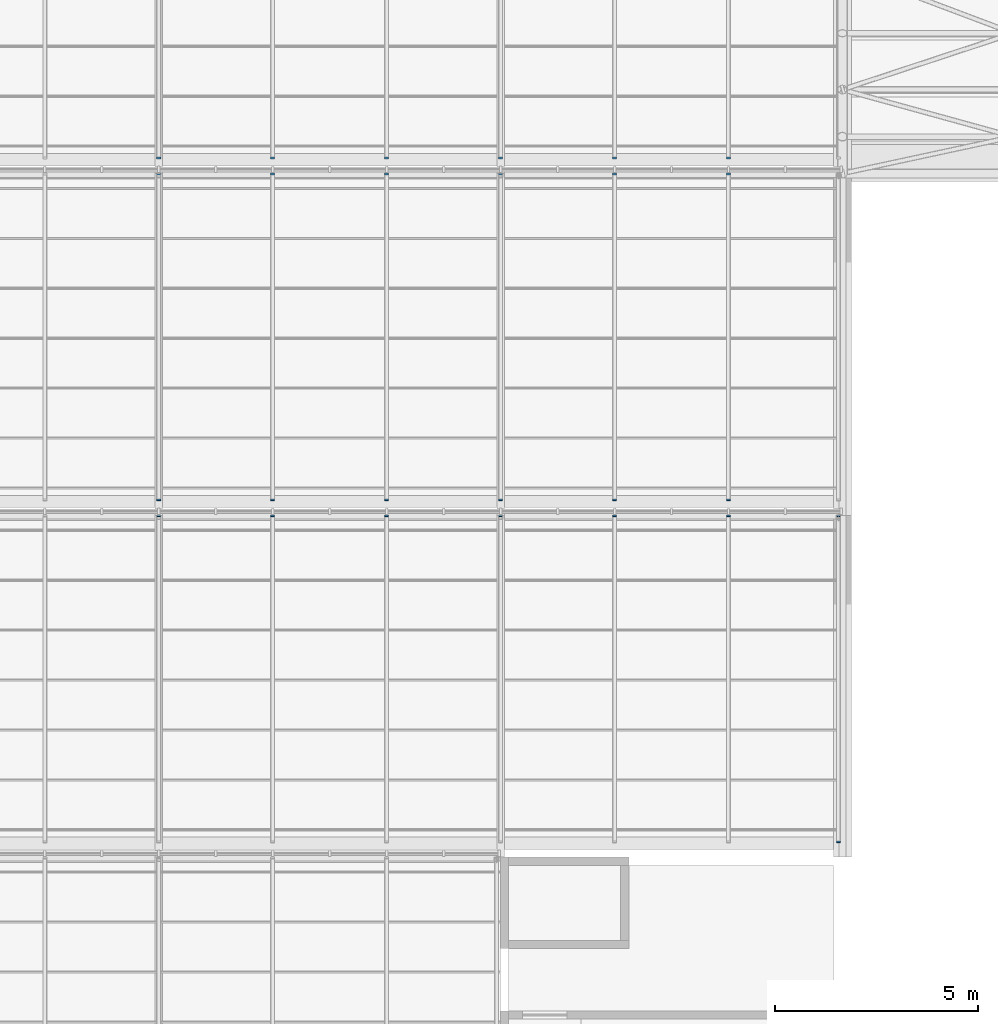
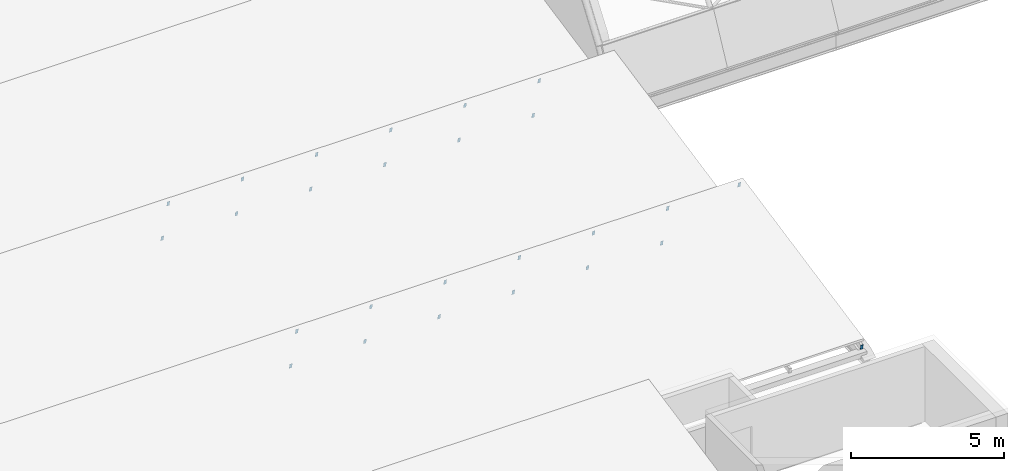
# One storey, part 99 of 121: 26 discrete accessories.
"""IFC4 building model written with IfcOpenShell, lengths in metres."""

from ifc_helpers import new_model, si_unit, direction, frame, origin, origin_2d, place, context, subcontext, project, spatial, rectangle, extrude, material, material_profile, profile_set, type_object, element, save


model = new_model("IFC4")

# Units and contexts
model_context = context("Model", 3, precision=1e-05, world=origin(), true_north=direction((0.0, 1.0)))
body_context = subcontext(model_context, "Body", "Model", "MODEL_VIEW")
ifc_project = project(units=[si_unit("LENGTHUNIT", "METRE"), si_unit("AREAUNIT", "SQUARE_METRE"), si_unit("VOLUMEUNIT", "CUBIC_METRE"), si_unit("PLANEANGLEUNIT", "RADIAN"), si_unit("MASSUNIT", "GRAM", prefix="KILO")], contexts=[model_context])

# Site, building, storey
site_placement = place(None, origin())
site = spatial("IfcSite", under=ifc_project, at=site_placement, CompositionType="ELEMENT")
building_placement = place(site_placement, origin())
building = spatial("IfcBuilding", under=site, at=building_placement, Name="Ardhachandra Cancer Care Centre", CompositionType="ELEMENT")
storey_placement = place(building_placement, frame((0.0, 0.0, 9.0)))
storey = spatial("IfcBuildingStorey", under=building, at=storey_placement, Name="L02", CompositionType="ELEMENT", Elevation=9.0)

# Discrete accessories
ifc_material = material(Name="Galvanised flat steel (Steel E250 (IS 2062))", Category="steel")
ifc_material_profile = material_profile(ifc_material, rectangle(XDim=0.10009765625, YDim=0.199951171875, at=origin_2d()), Name="Rafter end plate 200 x 100 x 8")
ifc_profile_set = profile_set([ifc_material_profile], Name="Galvanised flat steel (Steel E250 (IS 2062))")
discrete_accessory_type = type_object("IfcDiscreteAccessoryType", Name="Rafter end plate 200 x 100 x 8", PredefinedType="BRACKET", material=ifc_profile_set)
for number, where, z_axis, x_axis, name in (
    (1, (27.60009765625, 46.18017578125, 1.91796875), (0.0, 0.976900017396, 0.213696878805), (-1.0, 0.0, 0.0), "Rafter end plate T2a.7.2"),
    (2, (30.39990234375, 46.18017578125, 1.91796875), (0.0, 0.976900017396, 0.213696878805), (-1.0, 0.0, 0.0), "Rafter end plate T2a.8.2"),
    (3, (33.199951171875, 46.18017578125, 1.91796875), (0.0, 0.976900017396, 0.213696878805), (-1.0, 0.0, 0.0), "Rafter end plate T2a.9.2"),
    (4, (36.0, 46.18017578125, 1.91796875), (0.0, 0.976900017396, 0.213696878805), (-1.0, 0.0, 0.0), "Rafter end plate T2a.10.2"),
    (5, (38.800048828125, 46.18017578125, 1.91796875), (0.0, 0.976900017396, 0.213696878805), (-1.0, 0.0, 0.0), "Rafter end plate T2a.11.2"),
    (6, (41.60009765625, 46.18017578125, 1.91796875), (0.0, 0.976900017396, 0.213696878805), (-1.0, 0.0, 0.0), "Rafter end plate T2a.12.2"),
    (7, (44.300048828125, 38.18017578125, 0.298095703125), (0.0, -0.976900017396, -0.213696878805), (1.0, 0.0, 0.0), "Rafter end plate T2a.13.1"),
    (8, (44.300048828125, 46.18017578125, 1.91796875), (0.0, 0.976900017396, 0.213696878805), (-1.0, 0.0, 0.0), "Rafter end plate T2a.13.2"),
    (9, (27.60009765625, 46.580078125, 0.298095703125), (0.0, -0.976900017396, -0.213696878805), (1.0, 0.0, 0.0), "Rafter end plate T3a.7.1"),
    (10, (27.60009765625, 54.580078125, 1.91796875), (0.0, 0.976900017396, 0.213696878805), (-1.0, 0.0, 0.0), "Rafter end plate T3a.7.2"),
    (11, (30.39990234375, 46.580078125, 0.298095703125), (0.0, -0.976900017396, -0.213696878805), (1.0, 0.0, 0.0), "Rafter end plate T3a.8.1"),
    (12, (30.39990234375, 54.580078125, 1.91796875), (0.0, 0.976900017396, 0.213696878805), (-1.0, 0.0, 0.0), "Rafter end plate T3a.8.2"),
    (13, (33.199951171875, 46.580078125, 0.298095703125), (0.0, -0.976900017396, -0.213696878805), (1.0, 0.0, 0.0), "Rafter end plate T3a.9.1"),
    (14, (33.199951171875, 54.580078125, 1.91796875), (0.0, 0.976900017396, 0.213696878805), (-1.0, 0.0, 0.0), "Rafter end plate T3a.9.2"),
    (15, (36.0, 46.580078125, 0.298095703125), (0.0, -0.976900017396, -0.213696878805), (1.0, 0.0, 0.0), "Rafter end plate T3a.10.1"),
    (16, (36.0, 54.580078125, 1.91796875), (0.0, 0.976900017396, 0.213696878805), (-1.0, 0.0, 0.0), "Rafter end plate T3a.10.2"),
    (17, (38.800048828125, 46.580078125, 0.298095703125), (0.0, -0.976900017396, -0.213696878805), (1.0, 0.0, 0.0), "Rafter end plate T3a.11.1"),
    (18, (38.800048828125, 54.580078125, 1.91796875), (0.0, 0.976900017396, 0.213696878805), (-1.0, 0.0, 0.0), "Rafter end plate T3a.11.2"),
    (19, (41.60009765625, 46.580078125, 0.298095703125), (0.0, -0.976900017396, -0.213696878805), (1.0, 0.0, 0.0), "Rafter end plate T3a.12.1"),
    (20, (41.60009765625, 54.580078125, 1.91796875), (0.0, 0.976900017396, 0.213696878805), (-1.0, 0.0, 0.0), "Rafter end plate T3a.12.2"),
    (21, (27.60009765625, 54.980224609375, 0.298095703125), (0.0, -0.976900017396, -0.213696878805), (1.0, 0.0, 0.0), "Rafter end plate T4a.7.1"),
    (22, (30.39990234375, 54.980224609375, 0.298095703125), (0.0, -0.976900017396, -0.213696878805), (1.0, 0.0, 0.0), "Rafter end plate T4a.8.1"),
    (23, (33.199951171875, 54.980224609375, 0.298095703125), (0.0, -0.976900017396, -0.213696878805), (1.0, 0.0, 0.0), "Rafter end plate T4a.9.1"),
    (24, (36.0, 54.980224609375, 0.298095703125), (0.0, -0.976900017396, -0.213696878805), (1.0, 0.0, 0.0), "Rafter end plate T4a.10.1"),
    (25, (38.800048828125, 54.980224609375, 0.298095703125), (0.0, -0.976900017396, -0.213696878805), (1.0, 0.0, 0.0), "Rafter end plate T4a.11.1"),
    (26, (41.60009765625, 54.980224609375, 0.298095703125), (0.0, -0.976900017396, -0.213696878805), (1.0, 0.0, 0.0), "Rafter end plate T4a.12.1"),
):
    element("IfcDiscreteAccessory", number, at=place(storey_placement, frame(where, z_axis=z_axis, x_axis=x_axis)), inside=storey, type_object=discrete_accessory_type, Name=name, PredefinedType="BRACKET", context=body_context, shape_type="SweptSolid", body=[
        extrude(rectangle(XDim=0.10009765625, YDim=0.199951171875, at=origin_2d()), origin(), (0.0, 0.0, 1.0), 0.008056640625),
    ])

save(model, "model.ifc")
